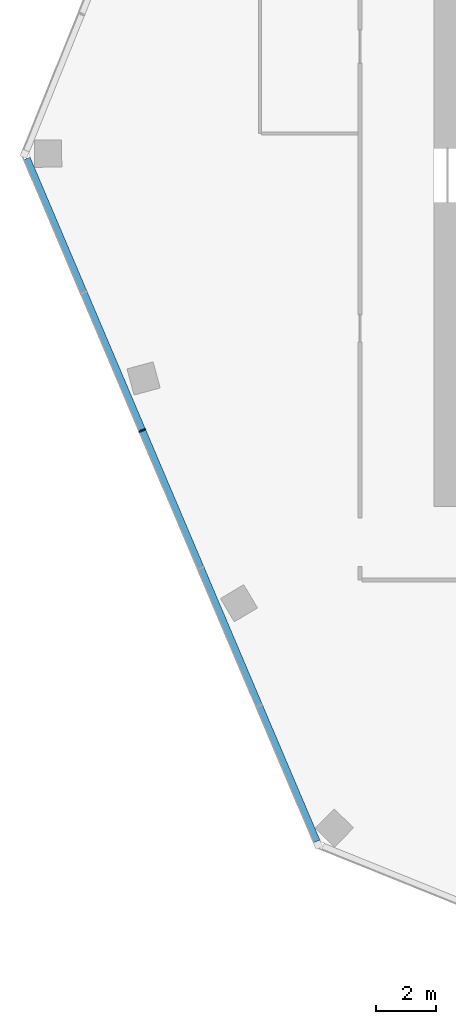
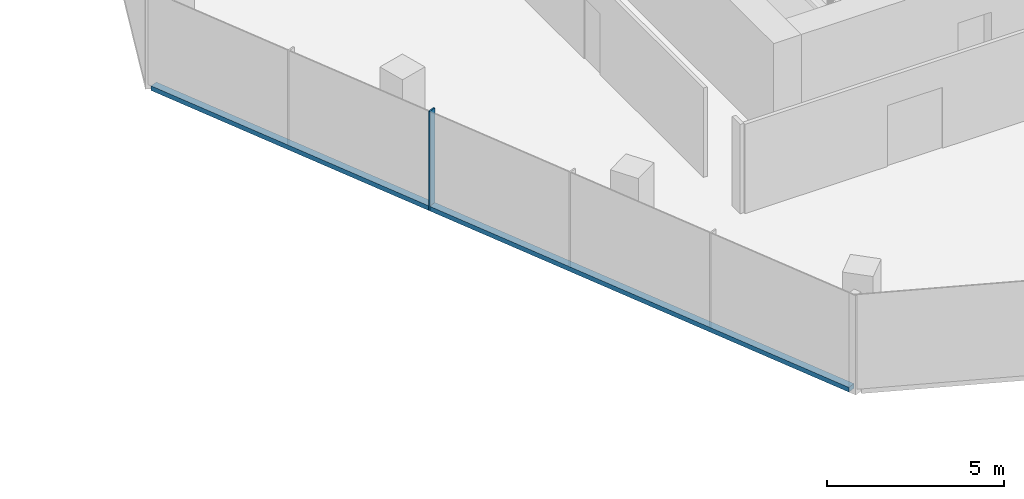
# One storey, part 3 of 16: 2 members, 1 element without a shape of its own.
"""IFC4 building model written with IfcOpenShell, lengths in metres."""

from ifc_helpers import new_model, si_unit, direction, frame, origin, origin_2d, place, context, subcontext, project, spatial, rectangle, extrude, material, material_profile, profile_set, type_object, element, aggregate, save


model = new_model("IFC4")

# Units and contexts
model_context = context("Model", 3, precision=1e-05, world=origin(), true_north=direction((0.0, 1.0)))
body_context = subcontext(model_context, "Body", "Model", "MODEL_VIEW")
ifc_project = project(units=[si_unit("LENGTHUNIT", "METRE"), si_unit("AREAUNIT", "SQUARE_METRE"), si_unit("VOLUMEUNIT", "CUBIC_METRE"), si_unit("PLANEANGLEUNIT", "RADIAN"), si_unit("MASSUNIT", "GRAM", prefix="KILO")], contexts=[model_context])

# Site, building, storey
site_placement = place(None, origin())
site = spatial("IfcSite", under=ifc_project, at=site_placement, CompositionType="ELEMENT")
building_placement = place(site_placement, origin())
building = spatial("IfcBuilding", under=site, at=building_placement, Name="Orlundy Tower", CompositionType="ELEMENT")
storey_placement = place(building_placement, frame((0.0, 0.0, 292.89990234375)))
storey = spatial("IfcBuildingStorey", under=building, at=storey_placement, Name="L78", CompositionType="ELEMENT", Elevation=292.89990234375)

# Curtain wall, members
ifc_material_1 = material(Name="Aluminium bronze anodised", Category="aluminium")
curtain_wall_type = type_object("IfcCurtainWallType", Name="CW6 wall", PredefinedType="NOTDEFINED", material=ifc_material_1)
curtain_wall_placement = place(storey_placement, origin())
curtain_wall = element("IfcCurtainWall", 1, at=curtain_wall_placement, inside=storey, type_object=curtain_wall_type, Name="CW6 run 014", PredefinedType="NOTDEFINED")
ifc_material_2 = material(Name="Aluminium bronze anodised", Category="aluminium")
ifc_material_profile_1 = material_profile(ifc_material_2, rectangle(XDim=0.239990234375, YDim=0.050048828125, at=origin_2d()), Name="CW6 mullion 50x240")
ifc_profile_set_1 = profile_set([ifc_material_profile_1], Name="Aluminium bronze anodised")
member_type_1 = type_object("IfcMemberType", Name="CW6 mullion 50x240", PredefinedType="MULLION", material=ifc_profile_set_1)
member_1_placement = place(storey_placement, frame((-28.697021484375, -9.481201171875, -0.31982421875), z_axis=(0.0, 0.0, 1.0), x_axis=(-0.920506804854, -0.390726531244, 0.0)))
member_1 = element("IfcMember", 2, at=member_1_placement, type_object=member_type_1, Name="CW6 mullion 23", PredefinedType="MULLION", context=body_context, shape_type="SweptSolid", body=[
    extrude(rectangle(XDim=0.239990234375, YDim=0.050048828125, at=origin_2d()), origin(), (0.0, 0.0, 1.0), 3.419921875),
])
ifc_material_3 = material(Name="Aluminium bronze anodised", Category="aluminium")
ifc_material_profile_2 = material_profile(ifc_material_3, rectangle(XDim=0.239990234375, YDim=0.159912109375, at=origin_2d()), Name="CW6 transom 240x160")
ifc_profile_set_2 = profile_set([ifc_material_profile_2], Name="Aluminium bronze anodised")
member_type_2 = type_object("IfcMemberType", Name="CW6 transom 240x160", PredefinedType="USERDEFINED", material=ifc_profile_set_2)
member_2_placement = place(storey_placement, frame((-22.89794921875, -23.14306640625, -0.239990234375), z_axis=(-0.390731856881, 0.920504544268, 0.0), x_axis=(-0.920504544268, -0.390731856881, 0.0)))
member_2 = element("IfcMember", 3, at=member_2_placement, type_object=member_type_2, Name="CW6 transom", ObjectType="TRANSOM", PredefinedType="USERDEFINED", context=body_context, shape_type="SweptSolid", body=[
    extrude(rectangle(XDim=0.239990234375, YDim=0.159912109375, at=origin_2d()), origin(), (0.0, 0.0, 1.0), 24.663330078125),
])
aggregate(curtain_wall, [member_1, member_2])

save(model, "model.ifc")
